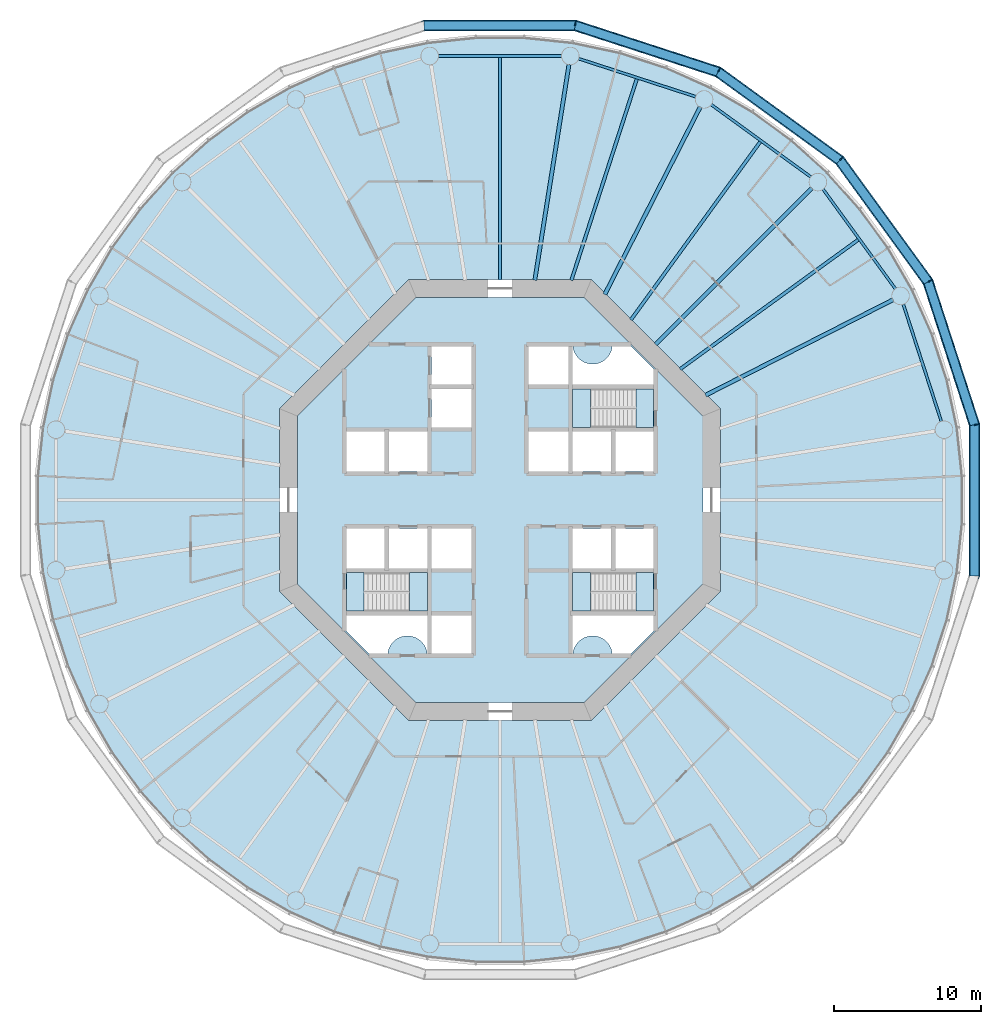
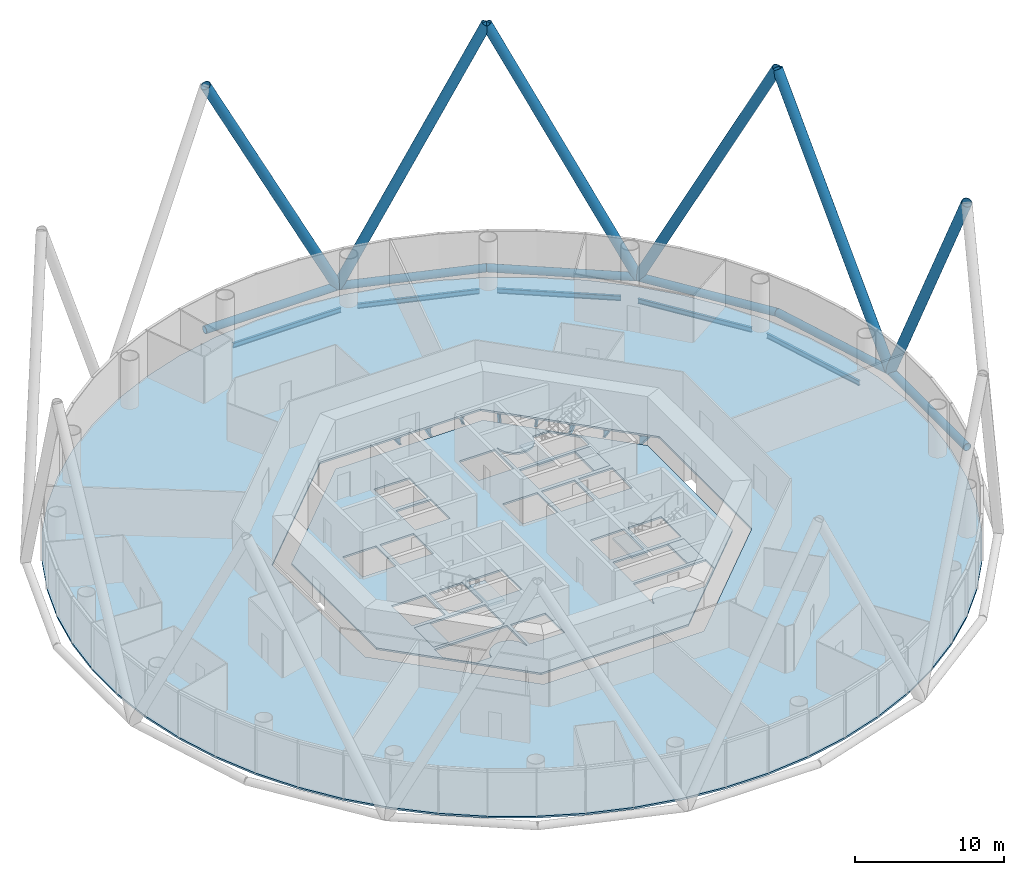
# One storey, part 2 of 13: 13 beams, 12 members, 8 slabs, 3 elements without a shape of their own.
"""IFC4 building model written with IfcOpenShell, lengths in metres."""

from ifc_helpers import new_model, si_unit, direction, frame, origin, origin_2d, place, context, subcontext, project, spatial, polyline, circle, hollow_circle, i_section, outline, extrude, material, layer, layer_set, material_profile, profile_set, type_object, element, aggregate, save


model = new_model("IFC4")

# Units and contexts
model_context = context("Model", 3, precision=1e-05, world=origin(), true_north=direction((0.0, 1.0)))
body_context = subcontext(model_context, "Body", "Model", "MODEL_VIEW")
ifc_project = project(units=[si_unit("LENGTHUNIT", "METRE"), si_unit("AREAUNIT", "SQUARE_METRE"), si_unit("VOLUMEUNIT", "CUBIC_METRE"), si_unit("PLANEANGLEUNIT", "RADIAN"), si_unit("MASSUNIT", "GRAM", prefix="KILO")], contexts=[model_context])

# Site, building, storey
site_placement = place(None, origin())
site = spatial("IfcSite", under=ifc_project, at=site_placement, CompositionType="ELEMENT")
building_placement = place(site_placement, origin())
building = spatial("IfcBuilding", under=site, at=building_placement, Name="Entoto Ring Tower", CompositionType="ELEMENT")
storey_placement = place(building_placement, frame((0.0, 0.0, 96.0)))
storey = spatial("IfcBuildingStorey", under=building, at=storey_placement, Name="L21", CompositionType="ELEMENT", Elevation=96.0)

# Members
ifc_material_1 = material(Name="Steel S355", Category="steel")
ifc_material_profile_1 = material_profile(ifc_material_1, hollow_circle(Radius=0.375, WallThickness=0.0380859375, at=origin_2d()), Name="CHS 750 x 38")
ifc_material_2 = material(Name="Concrete C60/75", Category="concrete")
ifc_material_profile_2 = material_profile(ifc_material_2, circle(Radius=0.3369140625, at=origin_2d()), Name="Concrete C60/75 infill")
ifc_profile_set_1 = profile_set([ifc_material_profile_1, ifc_material_profile_2], Name="Steel S355")
member_type_1 = type_object("IfcMemberType", Name="Diagrid diagonal 750 x 38 concrete-filled tube", PredefinedType="BRACE", material=ifc_profile_set_1)
for number, where, z_axis, x_axis, name in (
    (1, (122.29736328125, 85.115478515625, 0.0), (0.0, -0.455419317756, 0.890277060816), (1.0, 0.0, 0.0), "DG3A module 7 01"),
    (2, (122.29736328125, 85.115478515625, 0.0), (-0.140725857901, 0.433121348428, 0.890282051068), (-0.95105896794, -0.309009448885, 0.0), "DG3A module 7 02"),
    (3, (113.122314453125, 103.122314453125, 0.0), (0.2676922089, -0.368435420028, 0.890278733074), (0.809008424404, 0.587797047665, 0.0), "DG3A module 7 03"),
    (4, (113.122314453125, 103.122314453125, 0.0), (-0.368435420028, 0.2676922089, 0.890278733074), (-0.587797047665, -0.809008424404, 0.0), "DG3A module 7 04"),
    (5, (95.115478515625, 112.29736328125, 0.0), (0.433121348428, -0.140725857901, 0.890282051068), (0.309009448885, 0.95105896794, 0.0), "DG3A module 7 05"),
    (6, (95.115478515625, 112.29736328125, 0.0), (-0.455419317756, 0.0, 0.890277060816), (0.0, -1.0, 0.0), "DG3A module 7 06"),
):
    element("IfcMember", number, at=place(storey_placement, frame(where, z_axis=z_axis, x_axis=x_axis)), inside=storey, type_object=member_type_1, Name=name, PredefinedType="BRACE", context=body_context, shape_type="SweptSolid", body=[
        extrude(hollow_circle(Radius=0.375, WallThickness=0.0380859375, at=origin_2d()), origin(), (0.0, 0.0, 1.0), 22.46484375),
    ])
ifc_material_3 = material(Name="Steel S355", Category="steel")
ifc_material_profile_3 = material_profile(ifc_material_3, hollow_circle(Radius=0.300048828125, WallThickness=0.030029296875, at=origin_2d()), Name="CHS 600 x 30")
ifc_material_4 = material(Name="Concrete C60/75", Category="concrete")
ifc_material_profile_4 = material_profile(ifc_material_4, circle(Radius=0.27001953125, at=origin_2d()), Name="Concrete C60/75 infill")
ifc_profile_set_2 = profile_set([ifc_material_profile_3, ifc_material_profile_4], Name="Steel S355")
member_type_2 = type_object("IfcMemberType", Name="Diagrid ring beam 600 x 30", PredefinedType="CHORD", material=ifc_profile_set_2)
member_placement = place(storey_placement, frame((122.318359375, 85.05126953125, 0.0), z_axis=(-0.309032815696, 0.951051375491, 0.0), x_axis=(-0.951051375491, -0.309032815696, 0.0)))
element("IfcMember", 7, at=member_placement, inside=storey, type_object=member_type_2, Name="DR1 ring 6 01", PredefinedType="CHORD", context=body_context, shape_type="SweptSolid", body=[
    extrude(hollow_circle(Radius=0.300048828125, WallThickness=0.030029296875, at=origin_2d()), origin(), (0.0, 0.0, 1.0), 10.36572265625),
])
for number, where, z_axis, x_axis, name in (
    (8, (119.175537109375, 94.790771484375, 0.0), (-0.587773909122, 0.809025235549, 0.0), (-0.809025235549, -0.587773909122, 0.0), "DR1 ring 6 02"),
    (9, (113.177001953125, 103.082763671875, 0.0), (-0.809025235549, 0.587773909122, 0.0), (-0.587773909122, -0.809025235549, 0.0), "DR1 ring 6 03"),
):
    element("IfcMember", number, at=place(storey_placement, frame(where, z_axis=z_axis, x_axis=x_axis)), inside=storey, type_object=member_type_2, Name=name, PredefinedType="CHORD", context=body_context, shape_type="SweptSolid", body=[
        extrude(hollow_circle(Radius=0.300048828125, WallThickness=0.030029296875, at=origin_2d()), origin(), (0.0, 0.0, 1.0), 10.365966796875),
    ])
for number, where, z_axis, x_axis, name in (
    (10, (104.90966796875, 109.114990234375, 0.0), (-0.951051375491, 0.309032815696, 0.0), (-0.309032815696, -0.951051375491, 0.0), "DR1 ring 6 04"),
    (11, (95.182861328125, 112.29736328125, 0.0), (-1.0, 0.0, 0.0), (0.0, -1.0, 0.0), "DR1 ring 6 05"),
    (12, (122.29736328125, 74.817138671875, 0.0), (0.0, 1.0, 0.0), (-1.0, 0.0, 0.0), "DR1 ring 6 20"),
):
    element("IfcMember", number, at=place(storey_placement, frame(where, z_axis=z_axis, x_axis=x_axis)), inside=storey, type_object=member_type_2, Name=name, PredefinedType="CHORD", context=body_context, shape_type="SweptSolid", body=[
        extrude(hollow_circle(Radius=0.300048828125, WallThickness=0.030029296875, at=origin_2d()), origin(), (0.0, 0.0, 1.0), 10.36572265625),
    ])

# Beams
ifc_material_5 = material(Name="Steel S355", Category="steel")
ifc_material_profile_5 = material_profile(ifc_material_5, i_section(OverallWidth=0.179931640625, OverallDepth=0.39990234375, WebThickness=0.008544921875, FlangeThickness=0.013427734375, FilletRadius=0.02099609375, at=origin_2d()), Name="IPE 400")
ifc_profile_set_3 = profile_set([ifc_material_profile_5], Name="Steel S355")
beam_type_1 = type_object("IfcBeamType", Name="Edge beam IPE 400", PredefinedType="SPANDREL", material=ifc_profile_set_3)
for number, where, z_axis, x_axis, name in (
    (13, (120.038330078125, 85.35595703125, -0.35009765625), (-0.309014241039, 0.951057410904, 0.0), (-0.951057410904, -0.309014241039, 0.0), "Edge beam L21 01"),
    (14, (116.9130859375, 94.376220703125, -0.35009765625), (-0.587783458554, 0.8090182976, 0.0), (-0.8090182976, -0.587783458554, 0.0), "Edge beam L21 02"),
    (15, (111.1533203125, 101.9892578125, -0.35009765625), (-0.8090182976, 0.587783458554, 0.0), (-0.587783458554, -0.8090182976, 0.0), "Edge beam L21 03"),
    (16, (103.322998046875, 107.44970703125, -0.35009765625), (-0.951057410904, 0.309014241039, 0.0), (-0.309014241039, -0.951057410904, 0.0), "Edge beam L21 04"),
    (17, (94.1884765625, 110.22314453125, -0.35009765625), (-1.0, 0.0, 0.0), (0.0, -1.0, 0.0), "Edge beam L21 05"),
):
    element("IfcBeam", number, at=place(storey_placement, frame(where, z_axis=z_axis, x_axis=x_axis)), inside=storey, type_object=beam_type_1, Name=name, PredefinedType="SPANDREL", context=body_context, shape_type="SweptSolid", body=[
        extrude(i_section(OverallWidth=0.179931640625, OverallDepth=0.39990234375, WebThickness=0.008544921875, FlangeThickness=0.013427734375, FilletRadius=0.02099609375, at=origin_2d()), origin(), (0.0, 0.0, 1.0), 8.376953125),
    ])
ifc_material_6 = material(Name="Steel S355", Category="steel")
ifc_material_profile_6 = material_profile(ifc_material_6, i_section(OverallWidth=0.262939453125, OverallDepth=0.7529296875, WebThickness=0.011474609375, FlangeThickness=0.01708984375, FilletRadius=0.01708984375, at=origin_2d()), Name="IPE 750 x 137")
ifc_profile_set_4 = profile_set([ifc_material_profile_6], Name="Steel S355")
beam_type_2 = type_object("IfcBeamType", Name="Primary floor beam IPE 750 x 137", PredefinedType="BEAM", material=ifc_profile_set_4)
beam_1_placement = place(storey_placement, frame((103.9970703125, 87.1318359375, -0.526611328125), z_axis=(0.891007312585, 0.453988952421, 0.0), x_axis=(-0.453988952421, 0.891007312585, 0.0)))
element("IfcBeam", 18, at=beam_1_placement, inside=storey, type_object=beam_type_2, Name="Primary L21 R02", PredefinedType="BEAM", context=body_context, shape_type="SweptSolid", body=[
    extrude(i_section(OverallWidth=0.262939453125, OverallDepth=0.7529296875, WebThickness=0.011474609375, FlangeThickness=0.01708984375, FilletRadius=0.01708984375, at=origin_2d()), origin(), (0.0, 0.0, 1.0), 14.2998046875),
])
beam_2_placement = place(storey_placement, frame((100.592529296875, 90.592529296875, -0.526611328125), z_axis=(0.707106781187, 0.707106781187, 0.0), x_axis=(-0.707106781187, 0.707106781187, 0.0)))
element("IfcBeam", 19, at=beam_2_placement, inside=storey, type_object=beam_type_2, Name="Primary L21 R03", PredefinedType="BEAM", context=body_context, shape_type="SweptSolid", body=[
    extrude(i_section(OverallWidth=0.262939453125, OverallDepth=0.7529296875, WebThickness=0.011474609375, FlangeThickness=0.01708984375, FilletRadius=0.01708984375, at=origin_2d()), origin(), (0.0, 0.0, 1.0), 15.029052734375),
])
beam_3_placement = place(storey_placement, frame((97.1318359375, 93.9970703125, -0.526611328125), z_axis=(0.453988952421, 0.891007312585, 0.0), x_axis=(-0.891007312585, 0.453988952421, 0.0)))
element("IfcBeam", 20, at=beam_3_placement, inside=storey, type_object=beam_type_2, Name="Primary L21 R04", PredefinedType="BEAM", context=body_context, shape_type="SweptSolid", body=[
    extrude(i_section(OverallWidth=0.262939453125, OverallDepth=0.7529296875, WebThickness=0.011474609375, FlangeThickness=0.01708984375, FilletRadius=0.01708984375, at=origin_2d()), origin(), (0.0, 0.0, 1.0), 14.2998046875),
])
beam_4_placement = place(storey_placement, frame((92.369384765625, 94.959716796875, -0.526611328125), z_axis=(0.156426484787, 0.98768960451, 0.0), x_axis=(-0.98768960451, 0.156426484787, 0.0)))
element("IfcBeam", 21, at=beam_4_placement, inside=storey, type_object=beam_type_2, Name="Primary L21 R05", PredefinedType="BEAM", context=body_context, shape_type="SweptSolid", body=[
    extrude(i_section(OverallWidth=0.262939453125, OverallDepth=0.7529296875, WebThickness=0.011474609375, FlangeThickness=0.01708984375, FilletRadius=0.01708984375, at=origin_2d()), origin(), (0.0, 0.0, 1.0), 14.86279296875),
])
ifc_material_7 = material(Name="Steel S355", Category="steel")
ifc_material_profile_7 = material_profile(ifc_material_7, i_section(OverallWidth=0.219970703125, OverallDepth=0.60009765625, WebThickness=0.011962890625, FlangeThickness=0.01904296875, FilletRadius=0.02392578125, at=origin_2d()), Name="IPE 600")
ifc_profile_set_5 = profile_set([ifc_material_profile_7], Name="Steel S355")
beam_type_3 = type_object("IfcBeamType", Name="Secondary floor beam IPE 600", PredefinedType="JOIST", material=ifc_profile_set_5)
for number, where, z_axis, x_axis, name in (
    (22, (102.25634765625, 88.90478515625, -0.449951171875), (0.809019238239, 0.587782163866, 0.0), (-0.587782163866, 0.809019238239, 0.0), "Secondary beam L21 02"),
    (23, (98.90478515625, 92.25634765625, -0.449951171875), (0.587782163866, 0.809019238239, 0.0), (-0.809019238239, 0.587782163866, 0.0), "Secondary beam L21 03"),
):
    element("IfcBeam", number, at=place(storey_placement, frame(where, z_axis=z_axis, x_axis=x_axis)), inside=storey, type_object=beam_type_3, Name=name, PredefinedType="JOIST", context=body_context, shape_type="SweptSolid", body=[
        extrude(i_section(OverallWidth=0.219970703125, OverallDepth=0.60009765625, WebThickness=0.011962890625, FlangeThickness=0.01904296875, FilletRadius=0.02392578125, at=origin_2d()), origin(), (0.0, 0.0, 1.0), 14.983642578125),
    ])
beam_5_placement = place(storey_placement, frame((94.856689453125, 94.947021484375, -0.449951171875), z_axis=(0.309014850288, 0.951057212949, 0.0), x_axis=(-0.951057212949, 0.309014850288, 0.0)))
element("IfcBeam", 24, at=beam_5_placement, inside=storey, type_object=beam_type_3, Name="Secondary beam L21 04", PredefinedType="JOIST", context=body_context, shape_type="SweptSolid", body=[
    extrude(i_section(OverallWidth=0.219970703125, OverallDepth=0.60009765625, WebThickness=0.011962890625, FlangeThickness=0.01904296875, FilletRadius=0.02392578125, at=origin_2d()), origin(), (0.0, 0.0, 1.0), 14.4169921875),
])
beam_6_placement = place(storey_placement, frame((90.0, 94.97998046875, -0.449951171875), z_axis=(0.0, 1.0, 0.0), x_axis=(-1.0, 0.0, 0.0)))
element("IfcBeam", 25, at=beam_6_placement, inside=storey, type_object=beam_type_3, Name="Secondary beam L21 05", PredefinedType="JOIST", context=body_context, shape_type="SweptSolid", body=[
    extrude(i_section(OverallWidth=0.219970703125, OverallDepth=0.60009765625, WebThickness=0.011962890625, FlangeThickness=0.01904296875, FilletRadius=0.02392578125, at=origin_2d()), origin(), (0.0, 0.0, 1.0), 15.1533203125),
])

# Slabs
ifc_material_8 = material(Name="Concrete C30/37", Category="concrete")
ifc_layer_1 = layer(ifc_material_8, 0.14990234375)
ifc_layer_set_1 = layer_set([ifc_layer_1], Name="Concrete C30/37")
slab_type_1 = type_object("IfcSlabType", Name="Composite floor slab 150 mm", PredefinedType="FLOOR", material=ifc_layer_set_1)
slab_1_placement = place(storey_placement, frame((0.0, 0.0, -0.14990234375)))
element("IfcSlab", 26, at=slab_1_placement, inside=storey, type_object=slab_type_1, Name="Floor slab L21", PredefinedType="FLOOR", context=body_context, shape_type="SweptSolid", body=[
    extrude(outline(polyline([(121.2109375, 84.943359375), (120.523193359375, 88.1787109375), (119.501220703125, 91.324462890625), (118.15576171875, 94.34619140625), (116.501953125, 97.210693359375), (114.557861328125, 99.886474609375), (112.344482421875, 102.344482421875), (109.886474609375, 104.557861328125), (107.210693359375, 106.501953125), (104.34619140625, 108.15576171875), (101.324462890625, 109.501220703125), (98.1787109375, 110.523193359375), (94.943359375, 111.2109375), (91.65380859375, 111.556640625), (88.34619140625, 111.556640625), (85.056640625, 111.2109375), (81.8212890625, 110.523193359375), (78.675537109375, 109.501220703125), (75.65380859375, 108.15576171875), (72.789306640625, 106.501953125), (70.113525390625, 104.557861328125), (67.655517578125, 102.344482421875), (65.442138671875, 99.886474609375), (63.498046875, 97.210693359375), (61.84423828125, 94.34619140625), (60.498779296875, 91.324462890625), (59.476806640625, 88.1787109375), (58.7890625, 84.943359375), (58.443359375, 81.65380859375), (58.443359375, 78.34619140625), (58.7890625, 75.056640625), (59.476806640625, 71.8212890625), (60.498779296875, 68.675537109375), (61.84423828125, 65.65380859375), (63.498046875, 62.789306640625), (65.442138671875, 60.113525390625), (67.655517578125, 57.655517578125), (70.113525390625, 55.442138671875), (72.789306640625, 53.498046875), (75.65380859375, 51.84423828125), (78.675537109375, 50.498779296875), (81.8212890625, 49.476806640625), (85.056640625, 48.7890625), (88.34619140625, 48.443359375), (91.65380859375, 48.443359375), (94.943359375, 48.7890625), (98.1787109375, 49.476806640625), (101.324462890625, 50.498779296875), (104.34619140625, 51.84423828125), (107.210693359375, 53.498046875), (109.886474609375, 55.442138671875), (112.344482421875, 57.655517578125), (114.557861328125, 60.113525390625), (116.501953125, 62.789306640625), (118.15576171875, 65.65380859375), (119.501220703125, 68.675537109375), (120.523193359375, 71.8212890625), (121.2109375, 75.056640625), (121.556640625, 78.34619140625), (121.556640625, 81.65380859375), (121.2109375, 84.943359375)]), holes=[polyline([(105.0, 73.786865234375), (105.0, 86.213134765625), (96.213134765625, 95.0), (83.786865234375, 95.0), (75.0, 86.213134765625), (75.0, 73.786865234375), (83.786865234375, 65.0), (96.213134765625, 65.0), (105.0, 73.786865234375)])]), origin(), (0.0, 0.0, 1.0), 0.14990234375),
])
ifc_material_9 = material(Name="Concrete C40/50", Category="concrete")
ifc_layer_2 = layer(ifc_material_9, 0.14990234375)
ifc_layer_set_2 = layer_set([ifc_layer_2], Name="Concrete C40/50")
slab_type_2 = type_object("IfcSlabType", Name="Core floor slab 150 mm reinforced concrete C40/50", PredefinedType="FLOOR", material=ifc_layer_set_2)
slab_2_placement = place(storey_placement, frame((0.0, 0.0, -0.14990234375)))
element("IfcSlab", 27, at=slab_2_placement, inside=storey, type_object=slab_type_2, Name="Core floor L21", PredefinedType="FLOOR", context=body_context, shape_type="SweptSolid", body=[
    extrude(outline(polyline([(103.800048828125, 74.283935546875), (103.800048828125, 85.716064453125), (95.716064453125, 93.800048828125), (84.283935546875, 93.800048828125), (76.199951171875, 85.716064453125), (76.199951171875, 74.283935546875), (84.283935546875, 66.199951171875), (95.716064453125, 66.199951171875), (103.800048828125, 74.283935546875)]), holes=[polyline([(100.449951171875, 84.949951171875), (100.449951171875, 87.550048828125), (94.949951171875, 87.550048828125), (94.949951171875, 84.949951171875), (100.449951171875, 84.949951171875)]), polyline([(85.050048828125, 72.449951171875), (85.050048828125, 75.050048828125), (79.550048828125, 75.050048828125), (79.550048828125, 72.449951171875), (85.050048828125, 72.449951171875)]), polyline([(100.449951171875, 72.449951171875), (100.449951171875, 75.050048828125), (94.949951171875, 75.050048828125), (94.949951171875, 72.449951171875), (100.449951171875, 72.449951171875)]), polyline([(94.949951171875, 81.949951171875), (97.550048828125, 81.949951171875), (97.550048828125, 84.64990234375), (94.949951171875, 84.64990234375), (94.949951171875, 81.949951171875)]), polyline([(97.85009765625, 81.949951171875), (100.449951171875, 81.949951171875), (100.449951171875, 84.64990234375), (97.85009765625, 84.64990234375), (97.85009765625, 81.949951171875)]), polyline([(82.449951171875, 81.949951171875), (85.050048828125, 81.949951171875), (85.050048828125, 84.64990234375), (82.449951171875, 84.64990234375), (82.449951171875, 81.949951171875)]), polyline([(94.949951171875, 75.35009765625), (97.550048828125, 75.35009765625), (97.550048828125, 78.050048828125), (94.949951171875, 78.050048828125), (94.949951171875, 75.35009765625)]), polyline([(97.85009765625, 75.35009765625), (100.449951171875, 75.35009765625), (100.449951171875, 78.050048828125), (97.85009765625, 78.050048828125), (97.85009765625, 75.35009765625)]), polyline([(82.449951171875, 75.35009765625), (85.050048828125, 75.35009765625), (85.050048828125, 78.050048828125), (82.449951171875, 78.050048828125), (82.449951171875, 75.35009765625)]), polyline([(79.550048828125, 81.949951171875), (82.14990234375, 81.949951171875), (82.14990234375, 84.64990234375), (79.550048828125, 84.64990234375), (79.550048828125, 81.949951171875)]), polyline([(79.550048828125, 75.35009765625), (82.14990234375, 75.35009765625), (82.14990234375, 78.050048828125), (79.550048828125, 78.050048828125), (79.550048828125, 75.35009765625)]), polyline([(91.949951171875, 87.85009765625), (94.64990234375, 87.85009765625), (94.64990234375, 90.449951171875), (91.949951171875, 90.449951171875), (91.949951171875, 87.85009765625)]), polyline([(85.35009765625, 69.550048828125), (88.050048828125, 69.550048828125), (88.050048828125, 72.14990234375), (85.35009765625, 72.14990234375), (85.35009765625, 69.550048828125)]), polyline([(91.949951171875, 81.949951171875), (94.64990234375, 81.949951171875), (94.64990234375, 84.64990234375), (91.949951171875, 84.64990234375), (91.949951171875, 81.949951171875)]), polyline([(85.35009765625, 75.35009765625), (88.050048828125, 75.35009765625), (88.050048828125, 78.050048828125), (85.35009765625, 78.050048828125), (85.35009765625, 75.35009765625)]), polyline([(85.35009765625, 84.949951171875), (88.050048828125, 84.949951171875), (88.050048828125, 87.550048828125), (85.35009765625, 87.550048828125), (85.35009765625, 84.949951171875)]), polyline([(85.35009765625, 87.85009765625), (88.050048828125, 87.85009765625), (88.050048828125, 90.449951171875), (85.35009765625, 90.449951171875), (85.35009765625, 87.85009765625)]), polyline([(94.89990234375, 90.5), (94.89990234375, 87.800048828125), (100.5, 87.800048828125), (100.5, 88.874755859375), (98.874755859375, 90.5), (97.64501953125, 90.5), (97.6435546875, 90.4677734375), (97.6240234375, 90.336669921875), (97.591796875, 90.2080078125), (97.547119140625, 90.08349609375), (97.490478515625, 89.963623046875), (97.422607421875, 89.85009765625), (97.343505859375, 89.74365234375), (97.254638671875, 89.6455078125), (97.156494140625, 89.556396484375), (97.050048828125, 89.4775390625), (96.936279296875, 89.409423828125), (96.816650390625, 89.352783203125), (96.69189453125, 89.30810546875), (96.5634765625, 89.27587890625), (96.432373046875, 89.256591796875), (96.300048828125, 89.25), (96.167724609375, 89.256591796875), (96.03662109375, 89.27587890625), (95.908203125, 89.30810546875), (95.783447265625, 89.352783203125), (95.66357421875, 89.409423828125), (95.550048828125, 89.4775390625), (95.443603515625, 89.556396484375), (95.345458984375, 89.6455078125), (95.25634765625, 89.74365234375), (95.177490234375, 89.85009765625), (95.109375, 89.963623046875), (95.052734375, 90.08349609375), (95.008056640625, 90.2080078125), (94.975830078125, 90.336669921875), (94.95654296875, 90.4677734375), (94.954833984375, 90.5), (94.89990234375, 90.5)]), polyline([(79.5, 71.125244140625), (81.125244140625, 69.5), (82.35498046875, 69.5), (82.3564453125, 69.5322265625), (82.3759765625, 69.663330078125), (82.408203125, 69.7919921875), (82.452880859375, 69.91650390625), (82.509521484375, 70.036376953125), (82.577392578125, 70.14990234375), (82.656494140625, 70.25634765625), (82.745361328125, 70.3544921875), (82.843505859375, 70.443603515625), (82.949951171875, 70.5224609375), (83.063720703125, 70.590576171875), (83.183349609375, 70.647216796875), (83.30810546875, 70.69189453125), (83.4365234375, 70.72412109375), (83.567626953125, 70.743408203125), (83.699951171875, 70.75), (83.832275390625, 70.743408203125), (83.96337890625, 70.72412109375), (84.091796875, 70.69189453125), (84.216552734375, 70.647216796875), (84.33642578125, 70.590576171875), (84.449951171875, 70.5224609375), (84.556396484375, 70.443603515625), (84.654541015625, 70.3544921875), (84.74365234375, 70.25634765625), (84.822509765625, 70.14990234375), (84.890625, 70.036376953125), (84.947265625, 69.91650390625), (84.991943359375, 69.7919921875), (85.024169921875, 69.663330078125), (85.04345703125, 69.5322265625), (85.045166015625, 69.5), (85.10009765625, 69.5), (85.10009765625, 72.199951171875), (79.5, 72.199951171875), (79.5, 71.125244140625)]), polyline([(97.64501953125, 69.5), (98.874755859375, 69.5), (100.5, 71.125244140625), (100.5, 72.199951171875), (94.89990234375, 72.199951171875), (94.89990234375, 69.5), (94.954833984375, 69.5), (94.95654296875, 69.5322265625), (94.975830078125, 69.663330078125), (95.008056640625, 69.7919921875), (95.052734375, 69.91650390625), (95.109375, 70.036376953125), (95.177490234375, 70.14990234375), (95.25634765625, 70.25634765625), (95.345458984375, 70.3544921875), (95.443603515625, 70.443603515625), (95.550048828125, 70.5224609375), (95.66357421875, 70.590576171875), (95.783447265625, 70.647216796875), (95.908203125, 70.69189453125), (96.03662109375, 70.72412109375), (96.167724609375, 70.743408203125), (96.300048828125, 70.75), (96.432373046875, 70.743408203125), (96.5634765625, 70.72412109375), (96.69189453125, 70.69189453125), (96.816650390625, 70.647216796875), (96.936279296875, 70.590576171875), (97.050048828125, 70.5224609375), (97.156494140625, 70.443603515625), (97.254638671875, 70.3544921875), (97.343505859375, 70.25634765625), (97.422607421875, 70.14990234375), (97.490478515625, 70.036376953125), (97.547119140625, 69.91650390625), (97.591796875, 69.7919921875), (97.6240234375, 69.663330078125), (97.6435546875, 69.5322265625), (97.64501953125, 69.5)])]), origin(), (0.0, 0.0, 1.0), 0.14990234375),
])

# Stair, slabs
ifc_material_10 = material(Name="Concrete C40/50", Category="concrete")
stair_type = type_object("IfcStairType", Name="Exit stair 1200 mm dog-leg reinforced concrete", PredefinedType="HALF_TURN_STAIR", material=ifc_material_10)
stair_1_placement = place(storey_placement, origin())
stair_1 = element("IfcStair", 28, at=stair_1_placement, inside=storey, type_object=stair_type, Name="Exit stair 1", PredefinedType="HALF_TURN_STAIR")
ifc_material_11 = material(Name="Concrete C40/50", Category="concrete")
ifc_layer_3 = layer(ifc_material_11, 0.199951171875)
ifc_layer_set_3 = layer_set([ifc_layer_3], Name="Concrete C40/50")
slab_type_3 = type_object("IfcSlabType", Name="Stair landing 200 mm reinforced concrete", PredefinedType="LANDING", material=ifc_layer_set_3)
slab_3_placement = place(storey_placement, frame((0.0, 0.0, -0.199951171875)))
slab_3 = element("IfcSlab", 29, at=slab_3_placement, type_object=slab_type_3, Name="ST1 landing 1", PredefinedType="LANDING", context=body_context, shape_type="SweptSolid", body=[
    extrude(outline(polyline([(100.449951171875, 84.949951171875), (100.449951171875, 87.550048828125), (99.25, 87.550048828125), (99.25, 84.949951171875), (100.449951171875, 84.949951171875)])), origin(), (0.0, 0.0, 1.0), 0.199951171875),
])
slab_4_placement = place(storey_placement, frame((0.0, 0.0, 1.800048828125)))
slab_4 = element("IfcSlab", 30, at=slab_4_placement, type_object=slab_type_3, Name="ST1 landing 2", PredefinedType="LANDING", context=body_context, shape_type="SweptSolid", body=[
    extrude(outline(polyline([(94.949951171875, 84.949951171875), (96.169921875, 84.949951171875), (96.169921875, 87.550048828125), (94.949951171875, 87.550048828125), (94.949951171875, 84.949951171875)])), origin(), (0.0, 0.0, 1.0), 0.199951171875),
])
aggregate(stair_1, [slab_3, slab_4])

stair_2_placement = place(storey_placement, origin())
stair_2 = element("IfcStair", 31, at=stair_2_placement, inside=storey, type_object=stair_type, Name="Exit stair 2", PredefinedType="HALF_TURN_STAIR")
slab_5_placement = place(storey_placement, frame((0.0, 0.0, -0.199951171875)))
slab_5 = element("IfcSlab", 32, at=slab_5_placement, type_object=slab_type_3, Name="ST2 landing 1", PredefinedType="LANDING", context=body_context, shape_type="SweptSolid", body=[
    extrude(outline(polyline([(80.75, 72.449951171875), (80.75, 75.050048828125), (79.550048828125, 75.050048828125), (79.550048828125, 72.449951171875), (80.75, 72.449951171875)])), origin(), (0.0, 0.0, 1.0), 0.199951171875),
])
slab_6_placement = place(storey_placement, frame((0.0, 0.0, 1.800048828125)))
slab_6 = element("IfcSlab", 33, at=slab_6_placement, type_object=slab_type_3, Name="ST2 landing 2", PredefinedType="LANDING", context=body_context, shape_type="SweptSolid", body=[
    extrude(outline(polyline([(83.830078125, 72.449951171875), (85.050048828125, 72.449951171875), (85.050048828125, 75.050048828125), (83.830078125, 75.050048828125), (83.830078125, 72.449951171875)])), origin(), (0.0, 0.0, 1.0), 0.199951171875),
])
aggregate(stair_2, [slab_5, slab_6])

stair_3_placement = place(storey_placement, origin())
stair_3 = element("IfcStair", 34, at=stair_3_placement, inside=storey, type_object=stair_type, Name="Exit stair 3", PredefinedType="HALF_TURN_STAIR")
slab_7_placement = place(storey_placement, frame((0.0, 0.0, -0.199951171875)))
slab_7 = element("IfcSlab", 35, at=slab_7_placement, type_object=slab_type_3, Name="ST3 landing 1", PredefinedType="LANDING", context=body_context, shape_type="SweptSolid", body=[
    extrude(outline(polyline([(100.449951171875, 72.449951171875), (100.449951171875, 75.050048828125), (99.25, 75.050048828125), (99.25, 72.449951171875), (100.449951171875, 72.449951171875)])), origin(), (0.0, 0.0, 1.0), 0.199951171875),
])
slab_8_placement = place(storey_placement, frame((0.0, 0.0, 1.800048828125)))
slab_8 = element("IfcSlab", 36, at=slab_8_placement, type_object=slab_type_3, Name="ST3 landing 2", PredefinedType="LANDING", context=body_context, shape_type="SweptSolid", body=[
    extrude(outline(polyline([(94.949951171875, 72.449951171875), (96.169921875, 72.449951171875), (96.169921875, 75.050048828125), (94.949951171875, 75.050048828125), (94.949951171875, 72.449951171875)])), origin(), (0.0, 0.0, 1.0), 0.199951171875),
])
aggregate(stair_3, [slab_7, slab_8])

save(model, "model.ifc")
